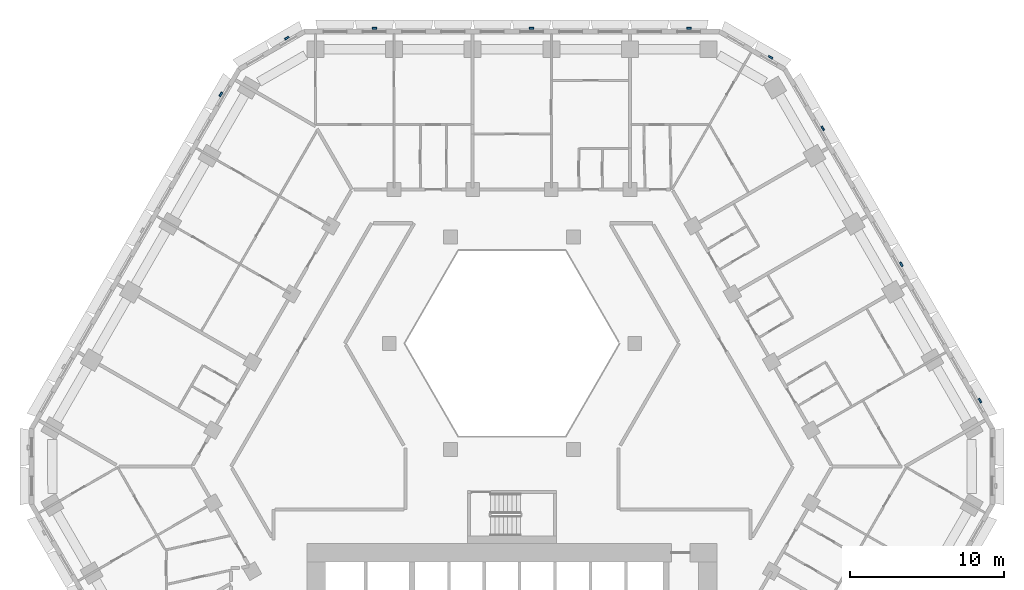
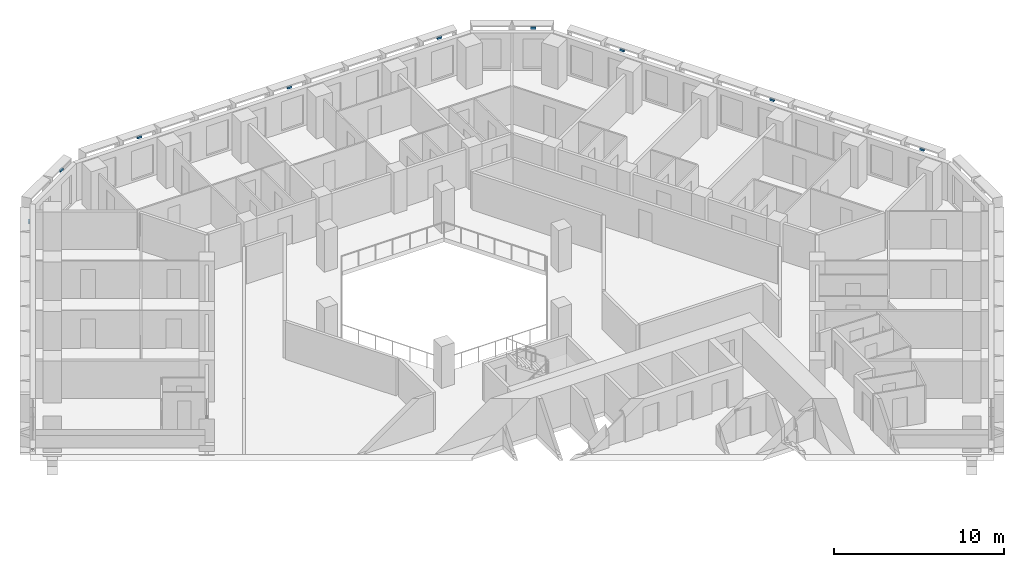
# One storey, part 15 of 21: 9 discrete accessories.
"""IFC4 building model written with IfcOpenShell, lengths in metres."""

from ifc_helpers import new_model, si_unit, direction, frame, origin, place, context, subcontext, project, spatial, polyline, outline, extrude, source, transform, mapped, material, type_object, type_shapes, element, save


model = new_model("IFC4")

# Units and contexts
model_context = context("Model", 3, precision=1e-05, world=origin(), true_north=direction((0.0, 1.0)))
body_context = subcontext(model_context, "Body", "Model", "MODEL_VIEW")
ifc_project = project(units=[si_unit("LENGTHUNIT", "METRE"), si_unit("AREAUNIT", "SQUARE_METRE"), si_unit("VOLUMEUNIT", "CUBIC_METRE"), si_unit("PLANEANGLEUNIT", "RADIAN"), si_unit("MASSUNIT", "GRAM", prefix="KILO")], contexts=[model_context])

# Site, building, storey
site_placement = place(None, origin())
site = spatial("IfcSite", under=ifc_project, at=site_placement, CompositionType="ELEMENT")
building_placement = place(site_placement, origin())
building = spatial("IfcBuilding", under=site, at=building_placement, Name="Beryl Residences", CompositionType="ELEMENT")
storey_placement = place(building_placement, frame((0.0, 0.0, 53.39990234375)))
storey = spatial("IfcBuildingStorey", under=building, at=storey_placement, Name="L16", CompositionType="ELEMENT", Elevation=53.39990234375)

# Discrete accessories
ifc_material = material(Name="Steel S355", Category="steel")
discrete_accessory_type = type_object("IfcDiscreteAccessoryType", Name="BR1 frame bracket 300 x 120 x 150 mm", PredefinedType="BRACKET", material=ifc_material)
shared_shape = source(origin(), body_context, "Body", "SweptSolid", [
    extrude(outline(polyline([(-0.14990234375, 0.0), (0.14990234375, 0.0), (0.14990234375, 0.1201171875), (-0.14990234375, 0.1201171875), (-0.14990234375, 0.0)])), origin(), (0.0, 0.0, 1.0), 0.14990234375),
])
type_shapes(discrete_accessory_type, [shared_shape])
for number, where, z_axis, x_axis, name in (
    (1, (11.48291015625, 28.39990234375, 2.75), (0.0, 0.0, 1.0), (1.0, 0.0, 0.0), "BR1 bracket L16 N 1"),
    (2, (1.27490234375, 28.39990234375, 2.75), (0.0, 0.0, 1.0), (1.0, 0.0, 0.0), "BR1 bracket L16 N 5"),
    (3, (-8.93310546875, 28.39990234375, 2.75), (0.0, 0.0, 1.0), (1.0, 0.0, 0.0), "BR1 bracket L16 N 9"),
    (4, (-14.593017578125, 27.77490234375, 2.75), (0.0, 0.0, 1.0), (0.866025403784, 0.5, 0.0), "BR1 bracket L16 N-NW 1"),
    (5, (-18.85400390625, 24.14501953125, 2.75), (0.0, 0.0, 1.0), (0.5, 0.866025403784, 0.0), "BR1 bracket L16 NW 1"),
    (6, (30.3359375, 4.2548828125, 2.75), (0.0, 0.0, 1.0), (0.5, -0.866025403784, 0.0), "BR1 bracket L16 NE 1"),
    (7, (25.23193359375, 13.095947265625, 2.75), (0.0, 0.0, 1.0), (0.5, -0.866025403784, 0.0), "BR1 bracket L16 NE 5"),
    (8, (20.12890625, 21.93603515625, 2.75), (0.0, 0.0, 1.0), (0.5, -0.866025403784, 0.0), "BR1 bracket L16 NE 9"),
    (9, (16.758056640625, 26.52490234375, 2.75), (0.0, 0.0, 1.0), (0.866025403784, -0.5, 0.0), "BR1 bracket L16 NE-N 1"),
):
    element("IfcDiscreteAccessory", number, at=place(storey_placement, frame(where, z_axis=z_axis, x_axis=x_axis)), inside=storey, type_object=discrete_accessory_type, Name=name, PredefinedType="BRACKET", context=body_context, shape_type="MappedRepresentation", body=[
        mapped(shared_shape, transform((0.0, 0.0, 0.0))),
    ])

save(model, "model.ifc")
